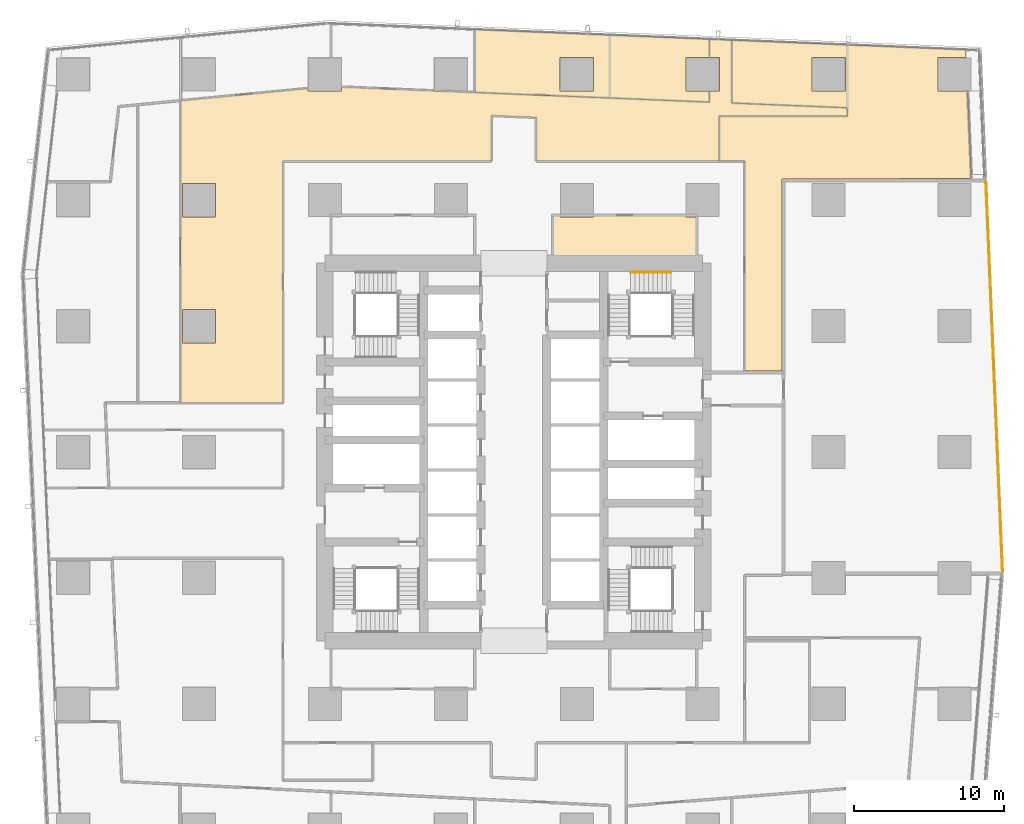
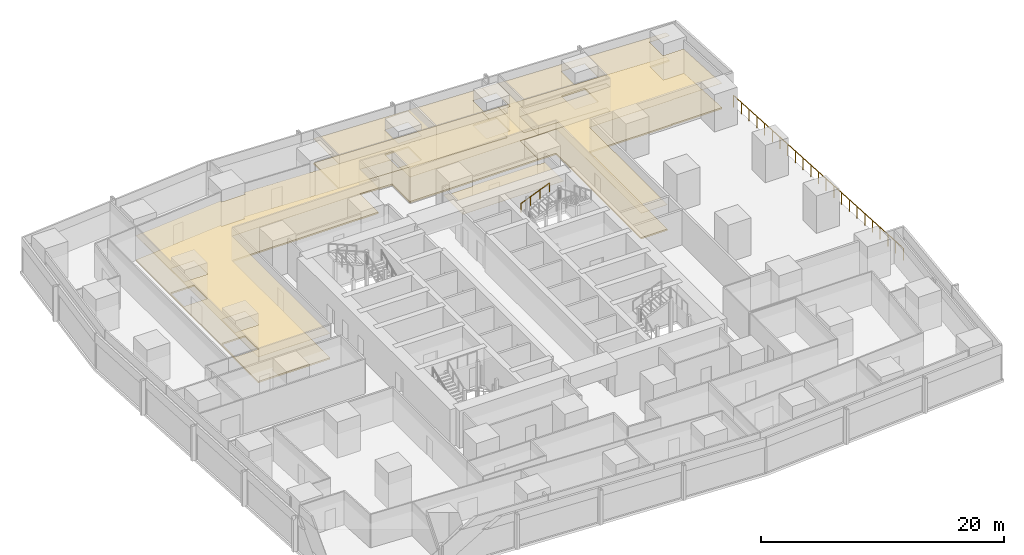
# One storey, part 42 of 42: 7 coverings, 2 railings.
"""IFC4 building model written with IfcOpenShell, lengths in metres."""

from ifc_helpers import new_model, si_unit, direction, frame, origin, origin_2d, place, context, subcontext, project, spatial, polyline, circle, outline, extrude, material, layer, layer_set, type_object, element, save


model = new_model("IFC4")

# Units and contexts
model_context = context("Model", 3, precision=1e-05, world=origin(), true_north=direction((0.0, 1.0)))
body_context = subcontext(model_context, "Body", "Model", "MODEL_VIEW")
ifc_project = project(units=[si_unit("LENGTHUNIT", "METRE"), si_unit("AREAUNIT", "SQUARE_METRE"), si_unit("VOLUMEUNIT", "CUBIC_METRE"), si_unit("PLANEANGLEUNIT", "RADIAN"), si_unit("MASSUNIT", "GRAM", prefix="KILO")], contexts=[model_context])

# Site, building, storey
site_placement = place(None, origin())
site = spatial("IfcSite", under=ifc_project, at=site_placement, CompositionType="ELEMENT")
building_placement = place(site_placement, origin())
building = spatial("IfcBuilding", under=site, at=building_placement, Name="Rekha Terrace Tower", CompositionType="ELEMENT")
storey_placement = place(building_placement, frame((0.0, 0.0, 40.39990234375)))
storey = spatial("IfcBuildingStorey", under=building, at=storey_placement, Name="L09", CompositionType="ELEMENT", Elevation=40.39990234375)

# Coverings
ifc_material_1 = material(Name="Mineral fibre tile in exposed grid", Category="finish")
ifc_layer_1 = layer(ifc_material_1, 0.02001953125)
ifc_layer_set_1 = layer_set([ifc_layer_1], Name="Mineral fibre tile in exposed grid")
covering_type_1 = type_object("IfcCoveringType", Name="CL1 600x1200 office grid ceiling", PredefinedType="CEILING", material=ifc_layer_set_1)
covering_1_placement = place(storey_placement, frame((0.0, 0.0, 2.580078125)))
element("IfcCovering", 1, at=covering_1_placement, inside=storey, type_object=covering_type_1, Name="Ceiling L09-06", PredefinedType="CEILING", context=body_context, shape_type="SweptSolid", body=[
    extrude(outline(polyline([(66.0849609375, 59.9150390625), (67.968994140625, 59.9150390625), (67.946044921875, 60.443115234375), (60.037109375, 60.76904296875), (52.34912109375, 61.0859375), (52.34912109375, 56.882080078125), (60.0400390625, 56.56494140625), (60.053955078125, 56.010986328125), (51.4990234375, 56.010986328125), (51.4990234375, 53.0), (53.199951171875, 53.0), (53.199951171875, 39.0009765625), (55.698974609375, 39.0009765625), (55.698974609375, 51.81103515625), (63.512939453125, 51.81103515625), (63.512939453125, 51.843017578125), (68.31298828125, 51.843017578125), (68.06396484375, 57.68505859375), (66.0849609375, 57.68505859375), (66.0849609375, 59.9150390625)]), holes=[polyline([(59.9150390625, 57.68505859375), (57.68505859375, 57.68505859375), (57.68505859375, 59.9150390625), (59.9150390625, 59.9150390625), (59.9150390625, 57.68505859375)])]), origin(), (0.0, 0.0, 1.0), 0.02001953125),
])
covering_2_placement = place(storey_placement, frame((0.0, 0.0, 2.580078125)))
element("IfcCovering", 2, at=covering_2_placement, inside=storey, type_object=covering_type_1, Name="Ceiling L09-07", PredefinedType="CEILING", context=body_context, shape_type="SweptSolid", body=[
    extrude(outline(polyline([(49.284912109375, 59.9150390625), (50.85009765625, 59.9150390625), (50.85009765625, 61.14794921875), (44.198974609375, 61.422119140625), (35.199951171875, 61.79296875), (35.199951171875, 57.589111328125), (44.199951171875, 57.218017578125), (50.85009765625, 56.944091796875), (50.85009765625, 57.68505859375), (49.284912109375, 57.68505859375), (49.284912109375, 59.9150390625)]), holes=[polyline([(43.114990234375, 57.68505859375), (40.885009765625, 57.68505859375), (40.885009765625, 59.9150390625), (43.114990234375, 59.9150390625), (43.114990234375, 57.68505859375)])]), origin(), (0.0, 0.0, 1.0), 0.02001953125),
])
covering_3_placement = place(storey_placement, frame((0.0, 0.0, 2.580078125)))
element("IfcCovering", 3, at=covering_3_placement, inside=storey, type_object=covering_type_1, Name="Ceiling L09-O3", PredefinedType="CEILING", context=body_context, shape_type="SweptSolid", body=[
    extrude(outline(polyline([(24.0849609375, 57.862060546875), (15.572021484375, 57.04296875), (15.572021484375, 36.8779296875), (22.39990234375, 36.8779296875), (22.39990234375, 53.0), (36.300048828125, 53.0), (36.300048828125, 56.04296875), (39.300048828125, 55.9189453125), (39.300048828125, 53.0), (51.4990234375, 53.0), (51.4990234375, 56.010986328125), (60.053955078125, 56.010986328125), (60.0400390625, 56.56494140625), (60.0380859375, 56.56494140625), (52.34912109375, 56.882080078125), (52.34912109375, 61.0859375), (50.85009765625, 61.14794921875), (50.85009765625, 59.9150390625), (51.514892578125, 59.9150390625), (51.514892578125, 57.68505859375), (50.85009765625, 57.68505859375), (50.85009765625, 56.944091796875), (44.197998046875, 57.218017578125), (35.198974609375, 57.589111328125), (32.8720703125, 57.68505859375), (32.485107421875, 57.68505859375), (32.485107421875, 57.700927734375), (26.31494140625, 57.9560546875), (26.31494140625, 57.68505859375), (24.0849609375, 57.68505859375), (24.0849609375, 57.862060546875)]), holes=[polyline([(17.9150390625, 40.885009765625), (15.68505859375, 40.885009765625), (15.68505859375, 43.114990234375), (17.9150390625, 43.114990234375), (17.9150390625, 40.885009765625)]), polyline([(17.9150390625, 49.284912109375), (15.68505859375, 49.284912109375), (15.68505859375, 51.514892578125), (17.9150390625, 51.514892578125), (17.9150390625, 49.284912109375)])]), origin(), (0.0, 0.0, 1.0), 0.02001953125),
])
ifc_material_2 = material(Name="Fibre cement board", Category="finish")
ifc_layer_2 = layer(ifc_material_2, 0.014892578125)
ifc_layer_set_2 = layer_set([ifc_layer_2], Name="Fibre cement board")
covering_type_2 = type_object("IfcCoveringType", Name="CL2 moisture-resistant board ceiling", PredefinedType="CEILING", material=ifc_layer_set_2)
covering_4_placement = place(storey_placement, frame((0.0, 0.0, 2.585205078125)))
element("IfcCovering", 4, at=covering_4_placement, inside=storey, type_object=covering_type_2, Name="Ceiling L09-WCF", PredefinedType="CEILING", context=body_context, shape_type="SweptSolid", body=[
    extrude(outline(polyline([(40.885009765625, 49.39990234375), (40.39990234375, 49.39990234375), (40.39990234375, 46.199951171875), (50.0, 46.199951171875), (50.0, 49.284912109375), (49.284912109375, 49.284912109375), (49.284912109375, 49.39990234375), (43.114990234375, 49.39990234375), (43.114990234375, 49.284912109375), (40.885009765625, 49.284912109375), (40.885009765625, 49.39990234375)])), origin(), (0.0, 0.0, 1.0), 0.014892578125),
])

# Railings
ifc_material_3 = material(Name="Steel guard with vertical balusters", Category="steel")
railing_type_1 = type_object("IfcRailingType", Name="GR2 refuge area guard 1200", PredefinedType="GUARDRAIL", material=ifc_material_3)
railing_1_placement = place(storey_placement, frame((70.39599609375, 25.60302734375, 0.0)))
element("IfcRailing", 5, at=railing_1_placement, inside=storey, type_object=railing_type_1, Name="Refuge area guard L09", PredefinedType="GUARDRAIL", context=body_context, shape_type="SweptSolid", body=[
    extrude(circle(Radius=0.02392578125, at=origin_2d()), frame((0.0, 0.0, 1.17578125), z_axis=(-0.042720877701, 0.999087046562, 0.0), x_axis=(-0.999087046562, -0.042720877701, 0.0)), (0.0, 0.0, 1.0), 26.03076171875),
    extrude(circle(Radius=0.02099609375, at=origin_2d()), origin(), (0.0, 0.0, 1.0), 1.15185546875),
    extrude(circle(Radius=0.02099609375, at=origin_2d()), frame((-0.050537109375, 1.18212890625, 0.0)), (0.0, 0.0, 1.0), 1.15185546875),
    extrude(circle(Radius=0.02099609375, at=origin_2d()), frame((-0.10107421875, 2.3642578125, 0.0)), (0.0, 0.0, 1.0), 1.15185546875),
    extrude(circle(Radius=0.02099609375, at=origin_2d()), frame((-0.151611328125, 3.54638671875, 0.0)), (0.0, 0.0, 1.0), 1.15185546875),
    extrude(circle(Radius=0.02099609375, at=origin_2d()), frame((-0.2021484375, 4.728515625, 0.0)), (0.0, 0.0, 1.0), 1.15185546875),
    extrude(circle(Radius=0.02099609375, at=origin_2d()), frame((-0.252685546875, 5.91064453125, 0.0)), (0.0, 0.0, 1.0), 1.15185546875),
    extrude(circle(Radius=0.02099609375, at=origin_2d()), frame((-0.30322265625, 7.0927734375, 0.0)), (0.0, 0.0, 1.0), 1.15185546875),
    extrude(circle(Radius=0.02099609375, at=origin_2d()), frame((-0.353759765625, 8.27490234375, 0.0)), (0.0, 0.0, 1.0), 1.15185546875),
    extrude(circle(Radius=0.02099609375, at=origin_2d()), frame((-0.404296875, 9.45703125, 0.0)), (0.0, 0.0, 1.0), 1.15185546875),
    extrude(circle(Radius=0.02099609375, at=origin_2d()), frame((-0.454833984375, 10.63916015625, 0.0)), (0.0, 0.0, 1.0), 1.15185546875),
    extrude(circle(Radius=0.02099609375, at=origin_2d()), frame((-0.50537109375, 11.8212890625, 0.0)), (0.0, 0.0, 1.0), 1.15185546875),
    extrude(circle(Radius=0.02099609375, at=origin_2d()), frame((-0.55615234375, 13.00341796875, 0.0)), (0.0, 0.0, 1.0), 1.15185546875),
    extrude(circle(Radius=0.02099609375, at=origin_2d()), frame((-0.606689453125, 14.185791015625, 0.0)), (0.0, 0.0, 1.0), 1.15185546875),
    extrude(circle(Radius=0.02099609375, at=origin_2d()), frame((-0.6572265625, 15.367919921875, 0.0)), (0.0, 0.0, 1.0), 1.15185546875),
    extrude(circle(Radius=0.02099609375, at=origin_2d()), frame((-0.707763671875, 16.550048828125, 0.0)), (0.0, 0.0, 1.0), 1.15185546875),
    extrude(circle(Radius=0.02099609375, at=origin_2d()), frame((-0.75830078125, 17.732177734375, 0.0)), (0.0, 0.0, 1.0), 1.15185546875),
    extrude(circle(Radius=0.02099609375, at=origin_2d()), frame((-0.808837890625, 18.914306640625, 0.0)), (0.0, 0.0, 1.0), 1.15185546875),
    extrude(circle(Radius=0.02099609375, at=origin_2d()), frame((-0.859375, 20.096435546875, 0.0)), (0.0, 0.0, 1.0), 1.15185546875),
    extrude(circle(Radius=0.02099609375, at=origin_2d()), frame((-0.909912109375, 21.278564453125, 0.0)), (0.0, 0.0, 1.0), 1.15185546875),
    extrude(circle(Radius=0.02099609375, at=origin_2d()), frame((-0.96044921875, 22.460693359375, 0.0)), (0.0, 0.0, 1.0), 1.15185546875),
    extrude(circle(Radius=0.02099609375, at=origin_2d()), frame((-1.010986328125, 23.642822265625, 0.0)), (0.0, 0.0, 1.0), 1.15185546875),
    extrude(circle(Radius=0.02099609375, at=origin_2d()), frame((-1.0615234375, 24.824951171875, 0.0)), (0.0, 0.0, 1.0), 1.15185546875),
    extrude(circle(Radius=0.02099609375, at=origin_2d()), frame((-1.112060546875, 26.007080078125, 0.0)), (0.0, 0.0, 1.0), 1.15185546875),
])
ifc_material_4 = material(Name="Stainless steel tube", Category="steel")
railing_type_2 = type_object("IfcRailingType", Name="HR1 900 stair handrail", PredefinedType="HANDRAIL", material=ifc_material_4)
railing_2_placement = place(storey_placement, frame((45.574951171875, 45.590087890625, 1.375)))
element("IfcRailing", 6, at=railing_2_placement, inside=storey, type_object=railing_type_2, Name="Handrail ST2 L09 flight 2", PredefinedType="HANDRAIL", context=body_context, shape_type="SweptSolid", body=[
    extrude(circle(Radius=0.02392578125, at=origin_2d()), frame((0.0, 0.0, 0.8759765625), z_axis=(0.923074453586, 0.0, 0.384621311341), x_axis=(0.0, 1.0, 0.0)), (0.0, 0.0, 1.0), 2.925048828125),
    extrude(circle(Radius=0.02099609375, at=origin_2d()), origin(), (0.0, 0.0, 1.0), 0.851806640625),
    extrude(circle(Radius=0.02099609375, at=origin_2d()), frame((0.89990234375, 0.0, 0.375)), (0.0, 0.0, 1.0), 0.851806640625),
    extrude(circle(Radius=0.02099609375, at=origin_2d()), frame((1.800048828125, 0.0, 0.75)), (0.0, 0.0, 1.0), 0.851806640625),
    extrude(circle(Radius=0.02099609375, at=origin_2d()), frame((2.699951171875, 0.0, 1.125)), (0.0, 0.0, 1.0), 0.851806640625),
])

# Coverings
ifc_material_5 = material(Name="Calcium sulphate panels on steel pedestals", Category="steel")
ifc_layer_3 = layer(ifc_material_5, 0.14990234375)
ifc_layer_set_3 = layer_set([ifc_layer_3], Name="Calcium sulphate panels on steel pedestals")
covering_type_3 = type_object("IfcCoveringType", Name="RF1 150 raised access floor", PredefinedType="FLOORING", material=ifc_layer_set_3)
covering_5_placement = place(storey_placement, origin())
element("IfcCovering", 7, at=covering_5_placement, inside=storey, type_object=covering_type_3, Name="Raised floor L09-06", PredefinedType="FLOORING", context=body_context, shape_type="SweptSolid", body=[
    extrude(outline(polyline([(66.0849609375, 59.9150390625), (67.968994140625, 59.9150390625), (67.946044921875, 60.443115234375), (60.037109375, 60.76904296875), (52.34912109375, 61.0859375), (52.34912109375, 56.882080078125), (60.0400390625, 56.56494140625), (60.053955078125, 56.010986328125), (51.4990234375, 56.010986328125), (51.4990234375, 53.0), (53.199951171875, 53.0), (53.199951171875, 39.0009765625), (55.698974609375, 39.0009765625), (55.698974609375, 51.81103515625), (63.512939453125, 51.81103515625), (63.512939453125, 51.843017578125), (68.31298828125, 51.843017578125), (68.06396484375, 57.68505859375), (66.0849609375, 57.68505859375), (66.0849609375, 59.9150390625)]), holes=[polyline([(59.9150390625, 57.68505859375), (57.68505859375, 57.68505859375), (57.68505859375, 59.9150390625), (59.9150390625, 59.9150390625), (59.9150390625, 57.68505859375)])]), origin(), (0.0, 0.0, 1.0), 0.150146484375),
])
covering_6_placement = place(storey_placement, origin())
element("IfcCovering", 8, at=covering_6_placement, inside=storey, type_object=covering_type_3, Name="Raised floor L09-07", PredefinedType="FLOORING", context=body_context, shape_type="SweptSolid", body=[
    extrude(outline(polyline([(49.284912109375, 59.9150390625), (50.85009765625, 59.9150390625), (50.85009765625, 61.14794921875), (44.198974609375, 61.422119140625), (35.199951171875, 61.79296875), (35.199951171875, 57.589111328125), (44.199951171875, 57.218017578125), (50.85009765625, 56.944091796875), (50.85009765625, 57.68505859375), (49.284912109375, 57.68505859375), (49.284912109375, 59.9150390625)]), holes=[polyline([(43.114990234375, 57.68505859375), (40.885009765625, 57.68505859375), (40.885009765625, 59.9150390625), (43.114990234375, 59.9150390625), (43.114990234375, 57.68505859375)])]), origin(), (0.0, 0.0, 1.0), 0.150146484375),
])
covering_7_placement = place(storey_placement, origin())
element("IfcCovering", 9, at=covering_7_placement, inside=storey, type_object=covering_type_3, Name="Raised floor L09-O3", PredefinedType="FLOORING", context=body_context, shape_type="SweptSolid", body=[
    extrude(outline(polyline([(24.0849609375, 57.862060546875), (15.572021484375, 57.04296875), (15.572021484375, 36.8779296875), (22.39990234375, 36.8779296875), (22.39990234375, 53.0), (36.300048828125, 53.0), (36.300048828125, 56.04296875), (39.300048828125, 55.9189453125), (39.300048828125, 53.0), (51.4990234375, 53.0), (51.4990234375, 56.010986328125), (60.053955078125, 56.010986328125), (60.0400390625, 56.56494140625), (60.0380859375, 56.56494140625), (52.34912109375, 56.882080078125), (52.34912109375, 61.0859375), (50.85009765625, 61.14794921875), (50.85009765625, 59.9150390625), (51.514892578125, 59.9150390625), (51.514892578125, 57.68505859375), (50.85009765625, 57.68505859375), (50.85009765625, 56.944091796875), (44.197998046875, 57.218017578125), (35.198974609375, 57.589111328125), (32.8720703125, 57.68505859375), (32.485107421875, 57.68505859375), (32.485107421875, 57.700927734375), (26.31494140625, 57.9560546875), (26.31494140625, 57.68505859375), (24.0849609375, 57.68505859375), (24.0849609375, 57.862060546875)]), holes=[polyline([(17.9150390625, 40.885009765625), (15.68505859375, 40.885009765625), (15.68505859375, 43.114990234375), (17.9150390625, 43.114990234375), (17.9150390625, 40.885009765625)]), polyline([(17.9150390625, 49.284912109375), (15.68505859375, 49.284912109375), (15.68505859375, 51.514892578125), (17.9150390625, 51.514892578125), (17.9150390625, 49.284912109375)])]), origin(), (0.0, 0.0, 1.0), 0.150146484375),
])

save(model, "model.ifc")
